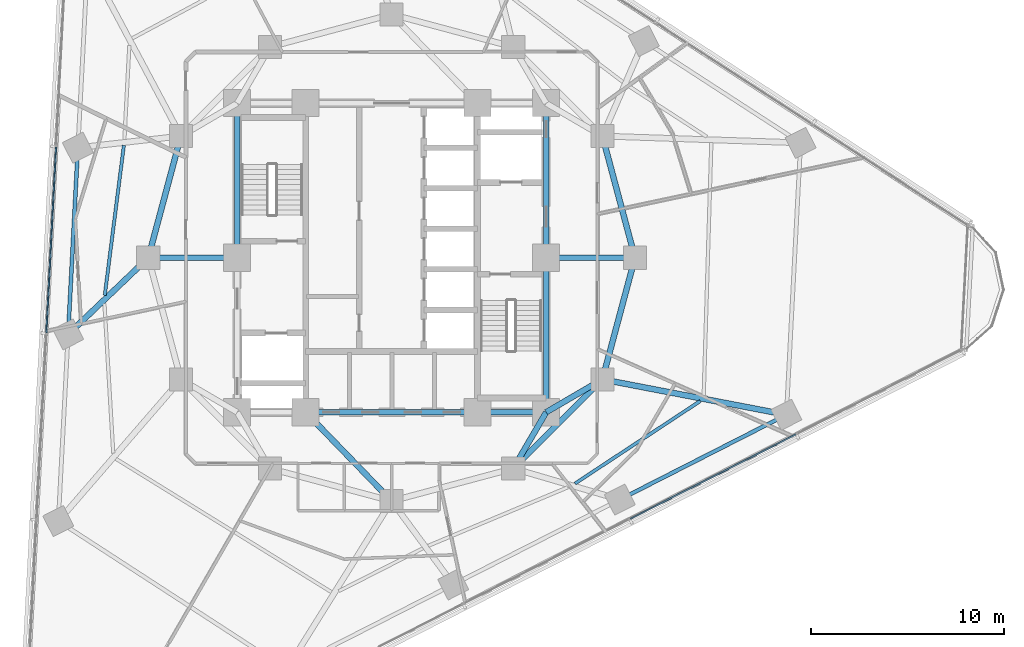
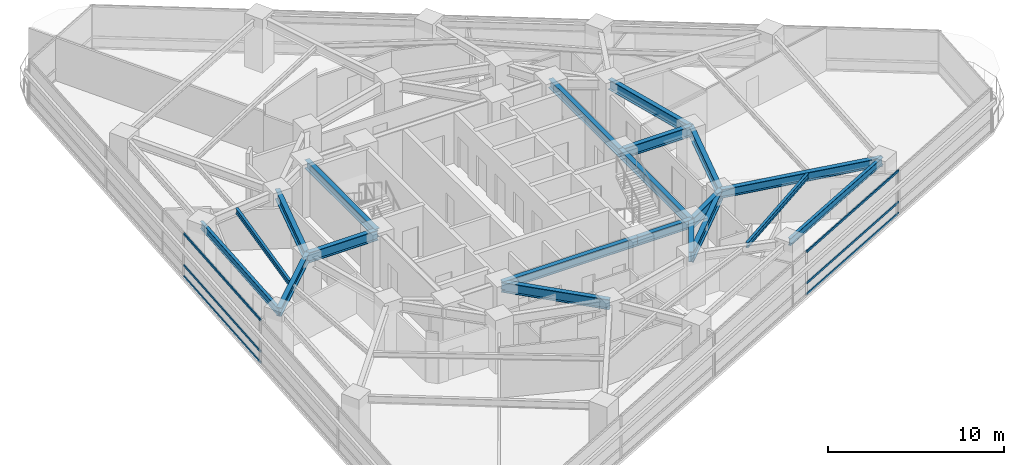
# One storey, part 3 of 14: 20 beams, 6 members, 2 elements without a shape of their own.
"""IFC4 building model written with IfcOpenShell, lengths in metres."""

from ifc_helpers import new_model, si_unit, direction, frame, origin, origin_2d, place, context, subcontext, project, spatial, rectangle, i_section, extrude, material, layer, layer_set, material_profile, profile_set, type_object, element, aggregate, save


model = new_model("IFC4")

# Units and contexts
model_context = context("Model", 3, precision=1e-05, world=origin(), true_north=direction((0.0, 1.0)))
body_context = subcontext(model_context, "Body", "Model", "MODEL_VIEW")
ifc_project = project(units=[si_unit("LENGTHUNIT", "METRE"), si_unit("AREAUNIT", "SQUARE_METRE"), si_unit("VOLUMEUNIT", "CUBIC_METRE"), si_unit("PLANEANGLEUNIT", "RADIAN"), si_unit("MASSUNIT", "GRAM", prefix="KILO")], contexts=[model_context])

# Site, building, storey
site_placement = place(None, origin())
site = spatial("IfcSite", under=ifc_project, at=site_placement, CompositionType="ELEMENT")
building_placement = place(site_placement, origin())
building = spatial("IfcBuilding", under=site, at=building_placement, Name="Terralouvre Media Tower", CompositionType="ELEMENT")
storey_placement = place(building_placement, frame((0.0, 0.0, 142.10009765625)))
storey = spatial("IfcBuildingStorey", under=building, at=storey_placement, Name="L36", CompositionType="ELEMENT", Elevation=142.10009765625)

# Beams
ifc_material_1 = material(Name="Structural steel S355J2", Category="steel")
ifc_material_profile_1 = material_profile(ifc_material_1, i_section(OverallWidth=0.169921875, OverallDepth=0.360107421875, WebThickness=0.008056640625, FlangeThickness=0.0126953125, at=origin_2d()), Name="IPE 360")
ifc_profile_set_1 = profile_set([ifc_material_profile_1], Name="Structural steel S355J2")
beam_type_1 = type_object("IfcBeamType", Name="Composite Floor Joist J-IPE360 (IPE 360)", PredefinedType="JOIST", material=ifc_profile_set_1)
beam_1_placement = place(storey_placement, frame((9.494873046875, -11.69140625, 3.31982421875), z_axis=(0.835078132026, 0.550131360142, 0.0), x_axis=(-0.550131360142, 0.835078132026, 0.0)))
element("IfcBeam", 1, at=beam_1_placement, inside=storey, type_object=beam_type_1, Name="L36 Framing Beam JT-L36-05", PredefinedType="JOIST", context=body_context, shape_type="SweptSolid", body=[
    extrude(i_section(OverallWidth=0.169921875, OverallDepth=0.360107421875, WebThickness=0.008056640625, FlangeThickness=0.0126953125, at=origin_2d()), origin(), (0.0, 0.0, 1.0), 7.75830078125),
])
beam_2_placement = place(storey_placement, frame((-13.864990234375, 5.81787109375, 3.31982421875), z_axis=(-0.126325695796, -0.991988819787, 0.0), x_axis=(0.991988819787, -0.126325695796, 0.0)))
element("IfcBeam", 2, at=beam_2_placement, inside=storey, type_object=beam_type_1, Name="L36 Framing Beam JT-L36-12", PredefinedType="JOIST", context=body_context, shape_type="SweptSolid", body=[
    extrude(i_section(OverallWidth=0.169921875, OverallDepth=0.360107421875, WebThickness=0.008056640625, FlangeThickness=0.0126953125, at=origin_2d()), origin(), (0.0, 0.0, 1.0), 7.8291015625),
])

# Curtain wall, members
ifc_material_2 = material(Name="Low-iron laminated double glazing with solar-control coating", Category="glass")
ifc_layer = layer(ifc_material_2, 0.1650390625, Name="Production Studio Tower Curtain Wall CW-03")
ifc_layer_set = layer_set([ifc_layer], Name="Low-iron laminated double glazing with solar-control coating")
curtain_wall_type = type_object("IfcCurtainWallType", Name="Production Studio Tower Curtain Wall CW-03", PredefinedType="NOTDEFINED", material=ifc_layer_set)
curtain_wall_1_placement = place(storey_placement, origin())
curtain_wall_1 = element("IfcCurtainWall", 3, at=curtain_wall_1_placement, inside=storey, type_object=curtain_wall_type, Name="L36 Facade Curtain Wall F0", PredefinedType="NOTDEFINED")
ifc_material_3 = material(Name="Anodised extruded aluminium 6063-T6", Category="aluminium")
ifc_material_profile_2 = material_profile(ifc_material_3, rectangle(XDim=0.074951171875, YDim=0.14990234375, at=origin_2d()), Name="ALU 75x150")
ifc_profile_set_2 = profile_set([ifc_material_profile_2], Name="Anodised extruded aluminium 6063-T6")
member_type = type_object("IfcMemberType", Name="Curtain-Wall Horizontal Transom TR-150", PredefinedType="USERDEFINED", material=ifc_profile_set_2)
member_1_placement = place(storey_placement, frame((12.359619140625, -13.513671875, 0.037353515625), z_axis=(0.891005548508, 0.453992414615, 0.0), x_axis=(-0.453992414615, 0.891005548508, 0.0)))
member_1 = element("IfcMember", 4, at=member_1_placement, type_object=member_type, Name="CW-03 transom 4.1", ObjectType="TRANSOM", PredefinedType="USERDEFINED", context=body_context, shape_type="SweptSolid", body=[
    extrude(rectangle(XDim=0.074951171875, YDim=0.14990234375, at=origin_2d()), origin(), (0.0, 0.0, 1.0), 9.60498046875),
])
member_2_placement = place(storey_placement, frame((12.359619140625, -13.513671875, 0.7998046875), z_axis=(0.891005548508, 0.453992414615, 0.0), x_axis=(-0.453992414615, 0.891005548508, 0.0)))
member_2 = element("IfcMember", 5, at=member_2_placement, type_object=member_type, Name="CW-03 transom 4.2", ObjectType="TRANSOM", PredefinedType="USERDEFINED", context=body_context, shape_type="SweptSolid", body=[
    extrude(rectangle(XDim=0.074951171875, YDim=0.14990234375, at=origin_2d()), origin(), (0.0, 0.0, 1.0), 9.60498046875),
])
member_3_placement = place(storey_placement, frame((12.359619140625, -13.513671875, 2.96240234375), z_axis=(0.891005548508, 0.453992414615, 0.0), x_axis=(-0.453992414615, 0.891005548508, 0.0)))
member_3 = element("IfcMember", 6, at=member_3_placement, type_object=member_type, Name="CW-03 transom 4.3", ObjectType="TRANSOM", PredefinedType="USERDEFINED", context=body_context, shape_type="SweptSolid", body=[
    extrude(rectangle(XDim=0.074951171875, YDim=0.14990234375, at=origin_2d()), origin(), (0.0, 0.0, 1.0), 9.60498046875),
])
aggregate(curtain_wall_1, [member_1, member_2, member_3])

curtain_wall_2_placement = place(storey_placement, origin())
curtain_wall_2 = element("IfcCurtainWall", 7, at=curtain_wall_2_placement, inside=storey, type_object=curtain_wall_type, Name="L36 Facade Curtain Wall F2", PredefinedType="NOTDEFINED")
member_4_placement = place(storey_placement, frame((-17.37646484375, 5.7197265625, 0.037353515625), z_axis=(-0.052336036535, -0.998629530547, 0.0), x_axis=(0.998629530547, -0.052336036535, 0.0)))
member_4 = element("IfcMember", 8, at=member_4_placement, type_object=member_type, Name="CW-03 transom 3.1", ObjectType="TRANSOM", PredefinedType="USERDEFINED", context=body_context, shape_type="SweptSolid", body=[
    extrude(rectangle(XDim=0.074951171875, YDim=0.14990234375, at=origin_2d()), origin(), (0.0, 0.0, 1.0), 9.60498046875),
])
member_5_placement = place(storey_placement, frame((-17.37646484375, 5.7197265625, 0.7998046875), z_axis=(-0.052336036535, -0.998629530547, 0.0), x_axis=(0.998629530547, -0.052336036535, 0.0)))
member_5 = element("IfcMember", 9, at=member_5_placement, type_object=member_type, Name="CW-03 transom 3.2", ObjectType="TRANSOM", PredefinedType="USERDEFINED", context=body_context, shape_type="SweptSolid", body=[
    extrude(rectangle(XDim=0.074951171875, YDim=0.14990234375, at=origin_2d()), origin(), (0.0, 0.0, 1.0), 9.60498046875),
])
member_6_placement = place(storey_placement, frame((-17.37646484375, 5.7197265625, 2.96240234375), z_axis=(-0.052336036535, -0.998629530547, 0.0), x_axis=(0.998629530547, -0.052336036535, 0.0)))
member_6 = element("IfcMember", 10, at=member_6_placement, type_object=member_type, Name="CW-03 transom 3.3", ObjectType="TRANSOM", PredefinedType="USERDEFINED", context=body_context, shape_type="SweptSolid", body=[
    extrude(rectangle(XDim=0.074951171875, YDim=0.14990234375, at=origin_2d()), origin(), (0.0, 0.0, 1.0), 9.60498046875),
])
aggregate(curtain_wall_2, [member_4, member_5, member_6])

# Beams
ifc_material_4 = material(Name="Structural steel S355J2", Category="steel")
ifc_material_profile_3 = material_profile(ifc_material_4, i_section(OverallWidth=0.199951171875, OverallDepth=0.5, WebThickness=0.01025390625, FlangeThickness=0.01611328125, at=origin_2d()), Name="IPE 500")
ifc_profile_set_3 = profile_set([ifc_material_profile_3], Name="Structural steel S355J2")
beam_type_2 = type_object("IfcBeamType", Name="Perimeter Spandrel Beam SPB-500 (IPE 500)", PredefinedType="SPANDREL", material=ifc_profile_set_3)
for number, where, z_axis, x_axis, name in (
    (11, (11.813232421875, -12.523681640625, 3.25), (0.891011779054, 0.453980186338, 0.0), (-0.453980186338, 0.891011779054, 0.0), "L36 Framing Beam BM-L36-PR05"),
    (12, (-16.245849609375, 5.697998046875, 3.25), (-0.052333792648, -0.998629648141, 0.0), (0.998629648141, -0.052333792648, 0.0), "L36 Framing Beam BM-L36-PR12"),
):
    element("IfcBeam", number, at=place(storey_placement, frame(where, z_axis=z_axis, x_axis=x_axis)), inside=storey, type_object=beam_type_2, Name=name, PredefinedType="SPANDREL", context=body_context, shape_type="SweptSolid", body=[
        extrude(i_section(OverallWidth=0.199951171875, OverallDepth=0.5, WebThickness=0.01025390625, FlangeThickness=0.01611328125, at=origin_2d()), origin(), (0.0, 0.0, 1.0), 9.679931640625),
    ])
ifc_material_5 = material(Name="Structural steel S460M", Category="steel")
ifc_material_profile_4 = material_profile(ifc_material_5, i_section(OverallWidth=0.300048828125, OverallDepth=0.60009765625, WebThickness=0.015380859375, FlangeThickness=0.030029296875, at=origin_2d()), Name="HEB 600")
ifc_profile_set_4 = profile_set([ifc_material_profile_4], Name="Structural steel S460M")
beam_type_3 = type_object("IfcBeamType", Name="Primary Floor Girder B-HEB600 (HEB 600)", PredefinedType="BEAM", material=ifc_profile_set_4)
beam_3_placement = place(storey_placement, frame((-4.449951171875, -8.0, 3.199951171875), z_axis=(1.0, 0.0, 0.0), x_axis=(0.0, 1.0, 0.0)))
element("IfcBeam", 13, at=beam_3_placement, inside=storey, type_object=beam_type_3, Name="L36 Framing Beam BM-L36-CPR02", PredefinedType="BEAM", context=body_context, shape_type="SweptSolid", body=[
    extrude(i_section(OverallWidth=0.300048828125, OverallDepth=0.60009765625, WebThickness=0.015380859375, FlangeThickness=0.030029296875, at=origin_2d()), origin(), (0.0, 0.0, 1.0), 8.89990234375),
])
beam_4_placement = place(storey_placement, frame((4.449951171875, -8.0, 3.199951171875), z_axis=(1.0, 0.0, 0.0), x_axis=(0.0, 1.0, 0.0)))
element("IfcBeam", 14, at=beam_4_placement, inside=storey, type_object=beam_type_3, Name="L36 Framing Beam BM-L36-CPR03", PredefinedType="BEAM", context=body_context, shape_type="SweptSolid", body=[
    extrude(i_section(OverallWidth=0.300048828125, OverallDepth=0.60009765625, WebThickness=0.015380859375, FlangeThickness=0.030029296875, at=origin_2d()), origin(), (0.0, 0.0, 1.0), 3.550048828125),
])
for number, where, z_axis, x_axis, name in (
    (15, (8.0, -8.0, 3.199951171875), (0.0, 1.0, 0.0), (-1.0, 0.0, 0.0), "L36 Framing Beam BM-L36-CPR04"),
    (16, (8.0, 0.0, 3.199951171875), (0.0, 1.0, 0.0), (-1.0, 0.0, 0.0), "L36 Framing Beam BM-L36-CPR05"),
    (17, (-8.0, 8.0, 3.199951171875), (0.0, -1.0, 0.0), (1.0, 0.0, 0.0), "L36 Framing Beam BM-L36-CPR09"),
):
    element("IfcBeam", number, at=place(storey_placement, frame(where, z_axis=z_axis, x_axis=x_axis)), inside=storey, type_object=beam_type_3, Name=name, PredefinedType="BEAM", context=body_context, shape_type="SweptSolid", body=[
        extrude(i_section(OverallWidth=0.300048828125, OverallDepth=0.60009765625, WebThickness=0.015380859375, FlangeThickness=0.030029296875, at=origin_2d()), origin(), (0.0, 0.0, 1.0), 8.0),
    ])
beam_5_placement = place(storey_placement, frame((-12.60009765625, 0.0, 3.199951171875), z_axis=(-0.722907652864, -0.690944661627, 0.0), x_axis=(0.690944661627, -0.722907652864, 0.0)))
element("IfcBeam", 18, at=beam_5_placement, inside=storey, type_object=beam_type_3, Name="L36 Framing Beam BM-L36-RD01", PredefinedType="BEAM", context=body_context, shape_type="SweptSolid", body=[
    extrude(i_section(OverallWidth=0.300048828125, OverallDepth=0.60009765625, WebThickness=0.015380859375, FlangeThickness=0.030029296875, at=origin_2d()), origin(), (0.0, 0.0, 1.0), 5.743896484375),
])
beam_6_placement = place(storey_placement, frame((10.911865234375, -6.300048828125, 3.199951171875), z_axis=(0.982061695862, -0.188559872511, 0.0), x_axis=(0.188559872511, 0.982061695862, 0.0)))
element("IfcBeam", 19, at=beam_6_placement, inside=storey, type_object=beam_type_3, Name="L36 Framing Beam BM-L36-RD06", PredefinedType="BEAM", context=body_context, shape_type="SweptSolid", body=[
    extrude(i_section(OverallWidth=0.300048828125, OverallDepth=0.60009765625, WebThickness=0.015380859375, FlangeThickness=0.030029296875, at=origin_2d()), origin(), (0.0, 0.0, 1.0), 9.700439453125),
])
ifc_material_6 = material(Name="Structural steel S460M", Category="steel")
ifc_material_profile_5 = material_profile(ifc_material_6, i_section(OverallWidth=0.300048828125, OverallDepth=0.699951171875, WebThickness=0.01708984375, FlangeThickness=0.031982421875, at=origin_2d()), Name="HEB 700")
ifc_profile_set_5 = profile_set([ifc_material_profile_5], Name="Structural steel S460M")
beam_type_4 = type_object("IfcBeamType", Name="Primary Floor Girder B-HEB700 (HEB 700)", PredefinedType="BEAM", material=ifc_profile_set_5)
beam_7_placement = place(storey_placement, frame((6.300048828125, -10.911865234375, 3.14990234375), z_axis=(0.707106781187, 0.707106781187, 0.0), x_axis=(-0.707106781187, 0.707106781187, 0.0)))
element("IfcBeam", 20, at=beam_7_placement, inside=storey, type_object=beam_type_4, Name="L36 Framing Beam BM-L36-MR04", PredefinedType="BEAM", context=body_context, shape_type="SweptSolid", body=[
    extrude(i_section(OverallWidth=0.300048828125, OverallDepth=0.699951171875, WebThickness=0.01708984375, FlangeThickness=0.031982421875, at=origin_2d()), origin(), (0.0, 0.0, 1.0), 6.52197265625),
])
for number, where, z_axis, x_axis, name in (
    (21, (10.911865234375, -6.300048828125, 3.14990234375), (0.258838989821, 0.965920481897, 0.0), (-0.965920481897, 0.258838989821, 0.0), "L36 Framing Beam BM-L36-MR05"),
    (22, (12.60009765625, 0.0, 3.14990234375), (-0.258838989821, 0.965920481897, 0.0), (-0.965920481897, -0.258838989821, 0.0), "L36 Framing Beam BM-L36-MR06"),
    (23, (-10.911865234375, 6.300048828125, 3.14990234375), (-0.258838989821, -0.965920481897, 0.0), (0.965920481897, -0.258838989821, 0.0), "L36 Framing Beam BM-L36-MR11"),
):
    element("IfcBeam", number, at=place(storey_placement, frame(where, z_axis=z_axis, x_axis=x_axis)), inside=storey, type_object=beam_type_4, Name=name, PredefinedType="BEAM", context=body_context, shape_type="SweptSolid", body=[
        extrude(i_section(OverallWidth=0.300048828125, OverallDepth=0.699951171875, WebThickness=0.01708984375, FlangeThickness=0.031982421875, at=origin_2d()), origin(), (0.0, 0.0, 1.0), 6.522216796875),
    ])
beam_8_placement = place(storey_placement, frame((-4.449951171875, -8.0, 3.14990234375), z_axis=(0.695279715726, -0.718739255155, 0.0), x_axis=(0.718739255155, 0.695279715726, 0.0)))
element("IfcBeam", 24, at=beam_8_placement, inside=storey, type_object=beam_type_4, Name="L36 Framing Beam BM-L36-CM03", PredefinedType="BEAM", context=body_context, shape_type="SweptSolid", body=[
    extrude(i_section(OverallWidth=0.300048828125, OverallDepth=0.699951171875, WebThickness=0.01708984375, FlangeThickness=0.031982421875, at=origin_2d()), origin(), (0.0, 0.0, 1.0), 6.400146484375),
])
for number, where, z_axis, x_axis, name in (
    (25, (8.0, -8.0, 3.14990234375), (-0.504172629717, -0.863602894532, 0.0), (0.863602894532, -0.504172629717, 0.0), "L36 Framing Beam BM-L36-CM04"),
    (26, (8.0, -8.0, 3.14990234375), (0.863602894532, 0.504172629717, 0.0), (-0.504172629717, 0.863602894532, 0.0), "L36 Framing Beam BM-L36-CM05"),
):
    element("IfcBeam", number, at=place(storey_placement, frame(where, z_axis=z_axis, x_axis=x_axis)), inside=storey, type_object=beam_type_4, Name=name, PredefinedType="BEAM", context=body_context, shape_type="SweptSolid", body=[
        extrude(i_section(OverallWidth=0.300048828125, OverallDepth=0.699951171875, WebThickness=0.01708984375, FlangeThickness=0.031982421875, at=origin_2d()), origin(), (0.0, 0.0, 1.0), 3.371826171875),
    ])
for number, where, z_axis, x_axis, name in (
    (27, (8.0, 0.0, 3.14990234375), (1.0, 0.0, 0.0), (0.0, 1.0, 0.0), "L36 Framing Beam BM-L36-CM06"),
    (28, (-8.0, 0.0, 3.14990234375), (-1.0, 0.0, 0.0), (0.0, -1.0, 0.0), "L36 Framing Beam BM-L36-CM12"),
):
    element("IfcBeam", number, at=place(storey_placement, frame(where, z_axis=z_axis, x_axis=x_axis)), inside=storey, type_object=beam_type_4, Name=name, PredefinedType="BEAM", context=body_context, shape_type="SweptSolid", body=[
        extrude(i_section(OverallWidth=0.300048828125, OverallDepth=0.699951171875, WebThickness=0.01708984375, FlangeThickness=0.031982421875, at=origin_2d()), origin(), (0.0, 0.0, 1.0), 4.60009765625),
    ])

save(model, "model.ifc")
